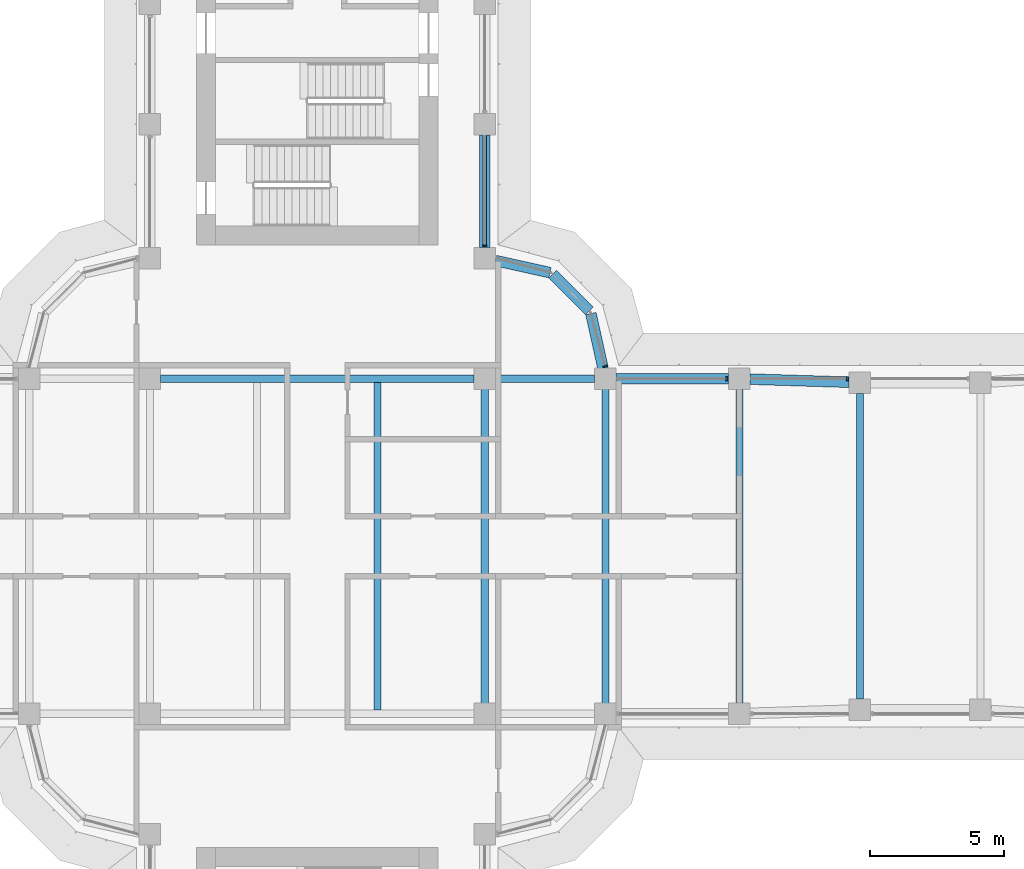
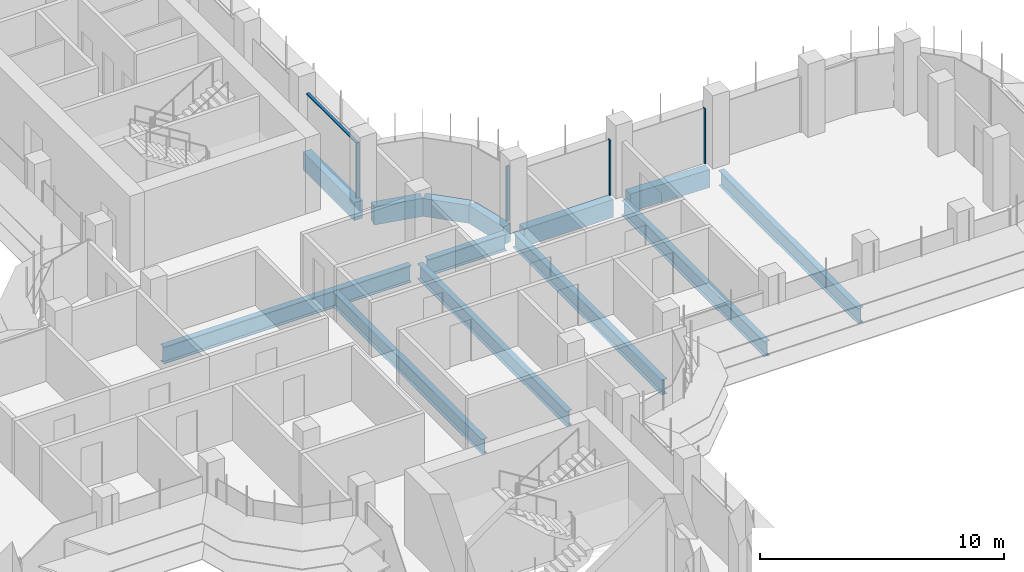
# One storey, part 8 of 20: 13 beams, 5 members, 3 elements without a shape of their own.
"""IFC4 building model written with IfcOpenShell, lengths in metres."""

from ifc_helpers import new_model, si_unit, direction, frame, origin, origin_2d, place, context, subcontext, project, spatial, polyline, rectangle, i_section, outline, extrude, source, transform, mapped, material, material_profile, profile_set, type_object, element, aggregate, save


model = new_model("IFC4")

# Units and contexts
model_context = context("Model", 3, precision=1e-05, world=origin(), true_north=direction((0.0, 1.0)))
body_context = subcontext(model_context, "Body", "Model", "MODEL_VIEW")
ifc_project = project(units=[si_unit("LENGTHUNIT", "METRE"), si_unit("AREAUNIT", "SQUARE_METRE"), si_unit("VOLUMEUNIT", "CUBIC_METRE"), si_unit("PLANEANGLEUNIT", "RADIAN"), si_unit("MASSUNIT", "GRAM", prefix="KILO")], contexts=[model_context])

# Site, building, storey
site_placement = place(None, origin())
site = spatial("IfcSite", under=ifc_project, at=site_placement, CompositionType="ELEMENT")
building_placement = place(site_placement, origin())
building = spatial("IfcBuilding", under=site, at=building_placement, Name="Zarbagh Exchange Tower", CompositionType="ELEMENT")
storey_placement = place(building_placement, frame((0.0, 0.0, 186.60009765625)))
storey = spatial("IfcBuildingStorey", under=building, at=storey_placement, Name="L45", CompositionType="ELEMENT", Elevation=186.60009765625)

# Beams
ifc_material_1 = material(Name="Steel ASTM A992 Gr 50", Category="steel")
ifc_material_profile_1 = material_profile(ifc_material_1, i_section(OverallWidth=0.26416015625, OverallDepth=0.749267578125, WebThickness=0.011962890625, FlangeThickness=0.015380859375, at=origin_2d()), Name="W30X90")
ifc_profile_set_1 = profile_set([ifc_material_profile_1], Name="Steel ASTM A992 Gr 50")
beam_type_1 = type_object("IfcBeamType", Name="Floor beam W30X90", PredefinedType="BEAM", material=ifc_profile_set_1)
for number, where, z_axis, x_axis, name in (
    (1, (2.25, -6.10400390625, -0.524658203125), (0.0, 1.0, 0.0), (-1.0, 0.0, 0.0), "Steel floor beam"),
    (2, (6.25, -6.10400390625, -0.524658203125), (0.0, 1.0, 0.0), (-1.0, 0.0, 0.0), "Steel floor beam"),
    (3, (10.75, -6.10400390625, -0.524658203125), (0.0, 1.0, 0.0), (-1.0, 0.0, 0.0), "Steel floor beam"),
):
    element("IfcBeam", number, at=place(storey_placement, frame(where, z_axis=z_axis, x_axis=x_axis)), inside=storey, type_object=beam_type_1, Name=name, PredefinedType="BEAM", context=body_context, shape_type="SweptSolid", body=[
        extrude(i_section(OverallWidth=0.26416015625, OverallDepth=0.749267578125, WebThickness=0.011962890625, FlangeThickness=0.015380859375, at=origin_2d()), origin(), (0.0, 0.0, 1.0), 12.2080078125),
    ])
beam_1_placement = place(storey_placement, frame((15.75, -5.85009765625, -0.524658203125), z_axis=(0.0, 1.0, 0.0), x_axis=(-1.0, 0.0, 0.0)))
element("IfcBeam", 4, at=beam_1_placement, inside=storey, type_object=beam_type_1, Name="Steel floor beam", PredefinedType="BEAM", context=body_context, shape_type="SweptSolid", body=[
    extrude(i_section(OverallWidth=0.26416015625, OverallDepth=0.749267578125, WebThickness=0.011962890625, FlangeThickness=0.015380859375, at=origin_2d()), origin(), (0.0, 0.0, 1.0), 11.7001953125),
])
beam_2_placement = place(storey_placement, frame((20.25, -5.7099609375, -0.524658203125), z_axis=(0.0, 1.0, 0.0), x_axis=(-1.0, 0.0, 0.0)))
element("IfcBeam", 5, at=beam_2_placement, inside=storey, type_object=beam_type_1, Name="Steel floor beam", PredefinedType="BEAM", context=body_context, shape_type="SweptSolid", body=[
    extrude(i_section(OverallWidth=0.26416015625, OverallDepth=0.749267578125, WebThickness=0.011962890625, FlangeThickness=0.015380859375, at=origin_2d()), origin(), (0.0, 0.0, 1.0), 11.419921875),
])
ifc_material_profile_2 = material_profile(ifc_material_1, i_section(OverallWidth=0.2919921875, OverallDepth=0.835693359375, WebThickness=0.013916015625, FlangeThickness=0.018798828125, at=origin_2d()), Name="W33X118")
ifc_profile_set_2 = profile_set([ifc_material_profile_2], Name="Steel ASTM A992 Gr 50")
beam_type_2 = type_object("IfcBeamType", Name="Floor girder W33X118", PredefinedType="BEAM", material=ifc_profile_set_2)
beam_3_placement = place(storey_placement, frame((-5.85009765625, 6.25, -0.56787109375), z_axis=(1.0, 0.0, 0.0), x_axis=(0.0, 1.0, 0.0)))
element("IfcBeam", 6, at=beam_3_placement, inside=storey, type_object=beam_type_2, Name="Steel girder", PredefinedType="BEAM", context=body_context, shape_type="SweptSolid", body=[
    extrude(i_section(OverallWidth=0.2919921875, OverallDepth=0.835693359375, WebThickness=0.013916015625, FlangeThickness=0.018798828125, at=origin_2d()), origin(), (0.0, 0.0, 1.0), 11.7001953125),
])
beam_4_placement = place(storey_placement, frame((6.64990234375, 6.25, -0.56787109375), z_axis=(1.0, 0.0, 0.0), x_axis=(0.0, 1.0, 0.0)))
element("IfcBeam", 7, at=beam_4_placement, inside=storey, type_object=beam_type_2, Name="Steel girder", PredefinedType="BEAM", context=body_context, shape_type="SweptSolid", body=[
    extrude(i_section(OverallWidth=0.2919921875, OverallDepth=0.835693359375, WebThickness=0.013916015625, FlangeThickness=0.018798828125, at=origin_2d()), origin(), (0.0, 0.0, 1.0), 3.7001953125),
])
ifc_material_2 = material(Name="Concrete C50/60", Category="concrete")
ifc_material_profile_3 = material_profile(ifc_material_2, rectangle(XDim=0.39990234375, YDim=0.89990234375, at=origin_2d()), Name="RC spandrel beam 400 x 900 C50/60")
ifc_profile_set_3 = profile_set([ifc_material_profile_3], Name="Concrete C50/60")
beam_type_3 = type_object("IfcBeamType", Name="RC spandrel beam 400 x 900 C50/60", PredefinedType="SPANDREL", material=ifc_profile_set_3)
beam_5_placement = place(storey_placement, frame((6.25, 15.35009765625, -0.60009765625), z_axis=(0.0, -1.0, 0.0), x_axis=(1.0, 0.0, 0.0)))
element("IfcBeam", 8, at=beam_5_placement, inside=storey, type_object=beam_type_3, Name="RC spandrel beam", PredefinedType="SPANDREL", context=body_context, shape_type="SweptSolid", body=[
    extrude(rectangle(XDim=0.39990234375, YDim=0.89990234375, at=origin_2d()), origin(), (0.0, 0.0, 1.0), 4.2001953125),
])
beam_6_placement = place(storey_placement, frame((6.640625, 10.66357421875, -0.60009765625), z_axis=(0.976384278741, -0.216041061437, 0.0), x_axis=(0.216041061437, 0.976384278741, 0.0)))
element("IfcBeam", 9, at=beam_6_placement, inside=storey, type_object=beam_type_3, Name="RC spandrel beam", PredefinedType="SPANDREL", context=body_context, shape_type="SweptSolid", body=[
    extrude(rectangle(XDim=0.39990234375, YDim=0.89990234375, at=origin_2d()), origin(), (0.0, 0.0, 1.0), 2.0927734375),
])
beam_7_placement = place(storey_placement, frame((8.782470703125, 10.15771484375, -0.60009765625), z_axis=(0.707106781187, -0.707106781187, 0.0), x_axis=(0.707106781187, 0.707106781187, 0.0)))
element("IfcBeam", 10, at=beam_7_placement, inside=storey, type_object=beam_type_3, Name="RC spandrel beam", PredefinedType="SPANDREL", context=body_context, shape_type="SweptSolid", body=[
    extrude(rectangle(XDim=0.39990234375, YDim=0.89990234375, at=origin_2d()), origin(), (0.0, 0.0, 1.0), 1.94482421875),
])
beam_8_placement = place(storey_placement, frame((10.21142578125, 8.68408203125, -0.60009765625), z_axis=(0.216041061437, -0.976384278741, 0.0), x_axis=(0.976384278741, 0.216041061437, 0.0)))
element("IfcBeam", 11, at=beam_8_placement, inside=storey, type_object=beam_type_3, Name="RC spandrel beam", PredefinedType="SPANDREL", context=body_context, shape_type="SweptSolid", body=[
    extrude(rectangle(XDim=0.39990234375, YDim=0.89990234375, at=origin_2d()), origin(), (0.0, 0.0, 1.0), 2.0927734375),
])
beam_9_placement = place(storey_placement, frame((11.14990234375, 6.25, -0.60009765625), z_axis=(1.0, 0.0, 0.0), x_axis=(0.0, 1.0, 0.0)))
element("IfcBeam", 12, at=beam_9_placement, inside=storey, type_object=beam_type_3, Name="RC spandrel beam", PredefinedType="SPANDREL", context=body_context, shape_type="SweptSolid", body=[
    extrude(rectangle(XDim=0.39990234375, YDim=0.89990234375, at=origin_2d()), origin(), (0.0, 0.0, 1.0), 4.2001953125),
])
beam_10_placement = place(storey_placement, frame((16.14990234375, 6.237548828125, -0.60009765625), z_axis=(0.999515416033, -0.031127690444, 0.0), x_axis=(0.031127690444, 0.999515416033, 0.0)))
element("IfcBeam", 13, at=beam_10_placement, inside=storey, type_object=beam_type_3, Name="RC spandrel beam", PredefinedType="SPANDREL", context=body_context, shape_type="SweptSolid", body=[
    extrude(rectangle(XDim=0.39990234375, YDim=0.89990234375, at=origin_2d()), origin(), (0.0, 0.0, 1.0), 3.701904296875),
])

# Curtain wall, members
ifc_material_3 = material(Name="Anodised aluminium frame and glazing", Category="aluminium")
curtain_wall_type = type_object("IfcCurtainWallType", Name="CWB Ribbon glazing, upper zones", PredefinedType="NOTDEFINED", material=ifc_material_3)
curtain_wall_1_placement = place(storey_placement, origin())
curtain_wall_1 = element("IfcCurtainWall", 14, at=curtain_wall_1_placement, inside=storey, type_object=curtain_wall_type, Name="CWB16 curtain wall", PredefinedType="NOTDEFINED")
ifc_material_4 = material(Name="Anodised aluminium frame", Category="aluminium")
member_type_1 = type_object("IfcMemberType", Name="MUB Mullion, anodised aluminium frame", PredefinedType="MULLION", material=ifc_material_4)
shared_shape_1 = source(origin(), body_context, "Body", "SweptSolid", [
    extrude(outline(polyline([(0.0, -0.080078125), (0.06005859375, -0.080078125), (0.06005859375, 0.080078125), (0.0, 0.080078125), (0.0, -0.080078125)])), origin(), (0.0, 0.0, 1.0), 2.75),
])
placement = place(storey_placement, origin())
member_1 = element("IfcMember", 15, at=placement, type_object=member_type_1, Name="CWB16 mullion 3.1", PredefinedType="MULLION", context=body_context, shape_type="MappedRepresentation", body=[
    mapped(shared_shape_1, transform((19.81005859375, 6.25, 0.0), x_axis=(-1.0, 0.0, 0.0), y_axis=(0.0, -1.0, 0.0), z_axis=(0.0, 0.0, 1.0))),
])
member_2 = element("IfcMember", 16, at=placement, type_object=member_type_1, Name="CWB16 mullion 4.1", PredefinedType="MULLION", context=body_context, shape_type="MappedRepresentation", body=[
    mapped(shared_shape_1, transform((15.31005859375, 6.25, 0.0), x_axis=(-1.0, 0.0, 0.0), y_axis=(0.0, -1.0, 0.0), z_axis=(0.0, 0.0, 1.0))),
])
aggregate(curtain_wall_1, [member_1, member_2])

# Curtain wall, member
curtain_wall_2_placement = place(storey_placement, origin())
curtain_wall_2 = element("IfcCurtainWall", 17, at=curtain_wall_2_placement, inside=storey, type_object=curtain_wall_type, Name="CWB17 curtain wall", PredefinedType="NOTDEFINED")
member_3 = element("IfcMember", 18, at=placement, type_object=member_type_1, Name="CWB17 mullion 1.1", PredefinedType="MULLION", context=body_context, shape_type="MappedRepresentation", body=[
    mapped(shared_shape_1, transform((10.74853515625, 6.68994140625, 0.0), x_axis=(-0.258824779902, 0.965924289636, 0.0), y_axis=(-0.965924289636, -0.258824779902, 0.0), z_axis=(0.0, 0.0, 1.0))),
])
aggregate(curtain_wall_2, [member_3])

# Curtain wall, members
curtain_wall_3_placement = place(storey_placement, origin())
curtain_wall_3 = element("IfcCurtainWall", 19, at=curtain_wall_3_placement, inside=storey, type_object=curtain_wall_type, Name="CWB20 curtain wall", PredefinedType="NOTDEFINED")
member_4 = element("IfcMember", 20, at=placement, type_object=member_type_1, Name="CWB20 mullion 1.1", PredefinedType="MULLION", context=body_context, shape_type="MappedRepresentation", body=[
    mapped(shared_shape_1, transform((6.25, 11.18994140625, 0.0), x_axis=(0.0, 1.0, 0.0), y_axis=(-1.0, 0.0, 0.0), z_axis=(0.0, 0.0, 1.0))),
])
member_type_2 = type_object("IfcMemberType", Name="TRB Transom, anodised aluminium frame", PredefinedType="USERDEFINED", material=ifc_material_4)
shared_shape_2 = source(origin(), body_context, "Body", "SweptSolid", [
    extrude(outline(polyline([(-0.06005859375, -0.06005859375), (0.0, -0.06005859375), (0.0, 0.06005859375), (-0.06005859375, 0.06005859375), (-0.06005859375, -0.06005859375)])), origin(), (0.0, 0.0, 1.0), 4.06005859375),
])
member_5 = element("IfcMember", 21, at=placement, type_object=member_type_2, Name="CWB20 transom 1.1", ObjectType="TRANSOM", PredefinedType="USERDEFINED", context=body_context, shape_type="MappedRepresentation", body=[
    mapped(shared_shape_2, transform((6.25, 11.25, 2.75), x_axis=(0.0, 0.0, 1.0), y_axis=(1.0, 0.0, 0.0), z_axis=(0.0, 1.0, 0.0))),
])
aggregate(curtain_wall_3, [member_4, member_5])

save(model, "model.ifc")
